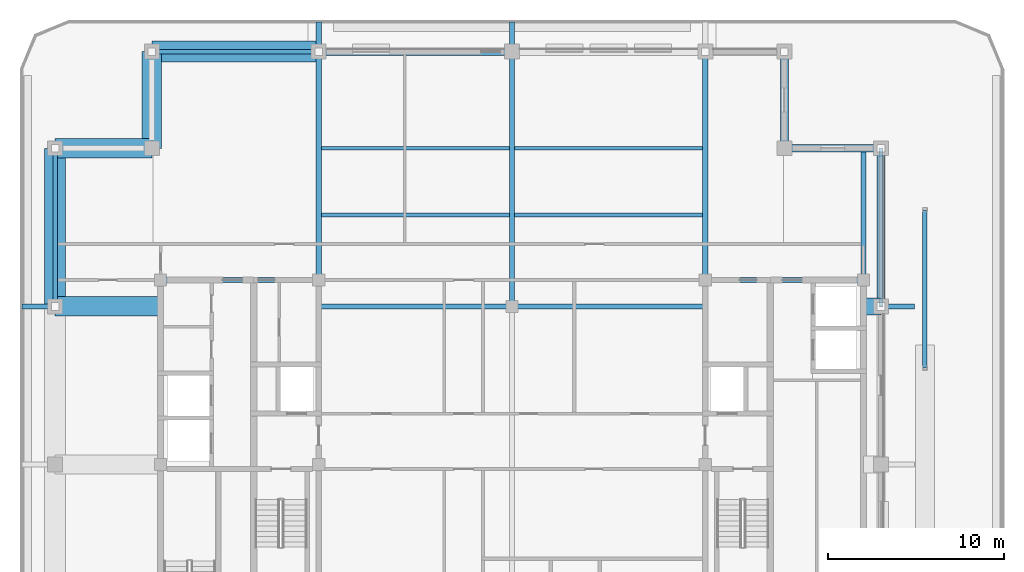
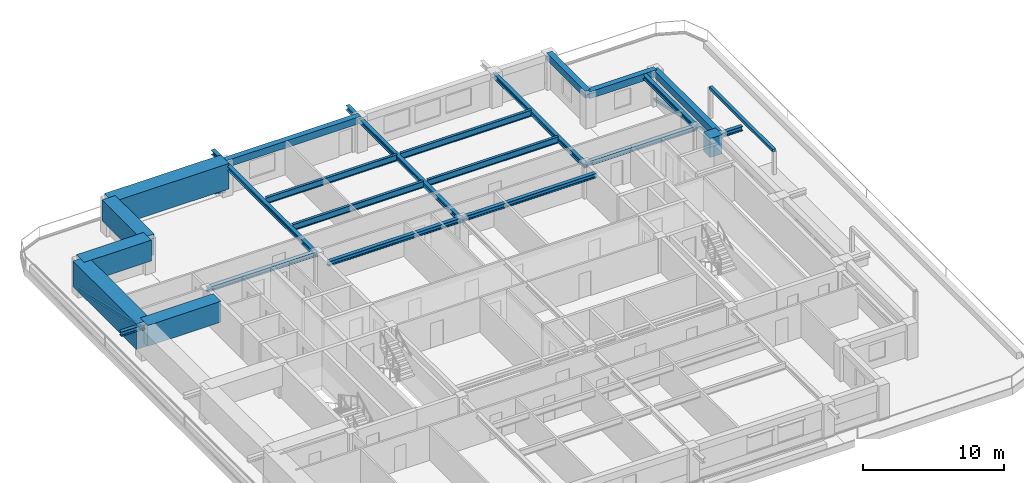
# One storey, part 3 of 14: 26 beams, 4 members.
"""IFC4 building model written with IfcOpenShell, lengths in metres."""

from ifc_helpers import new_model, si_unit, direction, frame, origin, origin_2d, place, context, subcontext, project, spatial, rectangle, hollow_rectangle, i_section, extrude, material, material_profile, profile_set, type_object, element, save


model = new_model("IFC4")

# Units and contexts
model_context = context("Model", 3, precision=1e-05, world=origin(), true_north=direction((0.0, 1.0)))
body_context = subcontext(model_context, "Body", "Model", "MODEL_VIEW")
ifc_project = project(units=[si_unit("LENGTHUNIT", "METRE"), si_unit("AREAUNIT", "SQUARE_METRE"), si_unit("VOLUMEUNIT", "CUBIC_METRE"), si_unit("PLANEANGLEUNIT", "RADIAN"), si_unit("MASSUNIT", "GRAM", prefix="KILO")], contexts=[model_context])

# Site, building, storey
site_placement = place(None, origin())
site = spatial("IfcSite", under=ifc_project, at=site_placement, CompositionType="ELEMENT")
building_placement = place(site_placement, origin())
building = spatial("IfcBuilding", under=site, at=building_placement, Name="Zulmaris Gate Convention Tower", CompositionType="ELEMENT")
storey_placement = place(building_placement, frame((0.0, 0.0, 254.429931640625)))
storey = spatial("IfcBuildingStorey", under=building, at=storey_placement, Name="L67", CompositionType="ELEMENT", Elevation=254.429931640625)

# Beams
ifc_material_1 = material(Name="Steel S355", Category="steel")
ifc_material_profile_1 = material_profile(ifc_material_1, i_section(OverallWidth=0.300048828125, OverallDepth=0.39990234375, WebThickness=0.013427734375, FlangeThickness=0.02392578125, FilletRadius=0.027099609375, at=origin_2d()), Name="HEB 400")
ifc_profile_set_1 = profile_set([ifc_material_profile_1], Name="Steel S355")
beam_type_1 = type_object("IfcBeamType", Name="BM-HEB400", PredefinedType="BEAM", material=ifc_profile_set_1)
for number, where, z_axis, x_axis, name in (
    (1, (-11.0, 23.5, 2.60302734375), (0.0, 1.0, 0.0), (-1.0, 0.0, 0.0), "L67 Beam TBRK-L67-N--11"),
    (2, (0.0, 23.5, 2.60302734375), (0.0, 1.0, 0.0), (-1.0, 0.0, 0.0), "L67 Beam TBRK-L67-N-+0"),
):
    element("IfcBeam", number, at=place(storey_placement, frame(where, z_axis=z_axis, x_axis=x_axis)), inside=storey, type_object=beam_type_1, Name=name, PredefinedType="BEAM", context=body_context, shape_type="SweptSolid", body=[
        extrude(i_section(OverallWidth=0.300048828125, OverallDepth=0.39990234375, WebThickness=0.013427734375, FlangeThickness=0.02392578125, FilletRadius=0.027099609375, at=origin_2d()), origin(), (0.0, 0.0, 1.0), 1.699951171875),
    ])
for number, where, z_axis, x_axis, name in (
    (3, (-27.89990234375, 9.0, 2.639892578125), (1.0, 0.0, 0.0), (0.0, 1.0, 0.0), "L67 Beam TBRK-L67-W-+9"),
    (4, (21.0, 9.0, 2.639892578125), (1.0, 0.0, 0.0), (0.0, 1.0, 0.0), "L67 Beam TBRK-L67-E-+9"),
):
    element("IfcBeam", number, at=place(storey_placement, frame(where, z_axis=z_axis, x_axis=x_axis)), inside=storey, type_object=beam_type_1, Name=name, PredefinedType="BEAM", context=body_context, shape_type="SweptSolid", body=[
        extrude(i_section(OverallWidth=0.300048828125, OverallDepth=0.39990234375, WebThickness=0.013427734375, FlangeThickness=0.02392578125, FilletRadius=0.027099609375, at=origin_2d()), origin(), (0.0, 0.0, 1.0), 1.89990234375),
    ])
for number, where, z_axis, x_axis, name in (
    (5, (-11.0, 9.0, 2.778076171875), (1.0, 0.0, 0.0), (0.0, 1.0, 0.0), "L67 Beam BM-L67-G03"),
    (6, (0.0, 9.0, 2.778076171875), (1.0, 0.0, 0.0), (0.0, 1.0, 0.0), "L67 Beam BM-L67-G04"),
):
    element("IfcBeam", number, at=place(storey_placement, frame(where, z_axis=z_axis, x_axis=x_axis)), inside=storey, type_object=beam_type_1, Name=name, PredefinedType="BEAM", context=body_context, shape_type="SweptSolid", body=[
        extrude(i_section(OverallWidth=0.300048828125, OverallDepth=0.39990234375, WebThickness=0.013427734375, FlangeThickness=0.02392578125, FilletRadius=0.027099609375, at=origin_2d()), origin(), (0.0, 0.0, 1.0), 11.0),
    ])
beam_1_placement = place(storey_placement, frame((0.0, 9.0, 2.60302734375), z_axis=(0.0, 1.0, 0.0), x_axis=(-1.0, 0.0, 0.0)))
element("IfcBeam", 7, at=beam_1_placement, inside=storey, type_object=beam_type_1, Name="L67 Beam BM-L67-G07", PredefinedType="BEAM", context=body_context, shape_type="SweptSolid", body=[
    extrude(i_section(OverallWidth=0.300048828125, OverallDepth=0.39990234375, WebThickness=0.013427734375, FlangeThickness=0.02392578125, FilletRadius=0.027099609375, at=origin_2d()), origin(), (0.0, 0.0, 1.0), 14.5),
])
for number, where, z_axis, x_axis, name in (
    (8, (-11.0, 10.5, 2.60302734375), (0.0, 1.0, 0.0), (-1.0, 0.0, 0.0), "L67 Beam BM-L67-G09"),
    (9, (11.0, 10.5, 2.60302734375), (0.0, 1.0, 0.0), (-1.0, 0.0, 0.0), "L67 Beam BM-L67-G11"),
):
    element("IfcBeam", number, at=place(storey_placement, frame(where, z_axis=z_axis, x_axis=x_axis)), inside=storey, type_object=beam_type_1, Name=name, PredefinedType="BEAM", context=body_context, shape_type="SweptSolid", body=[
        extrude(i_section(OverallWidth=0.300048828125, OverallDepth=0.39990234375, WebThickness=0.013427734375, FlangeThickness=0.02392578125, FilletRadius=0.027099609375, at=origin_2d()), origin(), (0.0, 0.0, 1.0), 13.0),
    ])
beam_2_placement = place(storey_placement, frame((20.0, 10.5, 2.778076171875), z_axis=(0.0, 1.0, 0.0), x_axis=(-1.0, 0.0, 0.0)))
element("IfcBeam", 10, at=beam_2_placement, inside=storey, type_object=beam_type_1, Name="L67 Beam BM-L67-G15", PredefinedType="BEAM", context=body_context, shape_type="SweptSolid", body=[
    extrude(i_section(OverallWidth=0.300048828125, OverallDepth=0.39990234375, WebThickness=0.013427734375, FlangeThickness=0.02392578125, FilletRadius=0.027099609375, at=origin_2d()), origin(), (0.0, 0.0, 1.0), 7.5),
])
for number, where, z_axis, x_axis, name in (
    (11, (-20.0, 10.5, 2.778076171875), (1.0, 0.0, 0.0), (0.0, 1.0, 0.0), "L67 Beam BM-L67-G23"),
    (12, (11.0, 10.5, 2.778076171875), (1.0, 0.0, 0.0), (0.0, 1.0, 0.0), "L67 Beam BM-L67-G25"),
):
    element("IfcBeam", number, at=place(storey_placement, frame(where, z_axis=z_axis, x_axis=x_axis)), inside=storey, type_object=beam_type_1, Name=name, PredefinedType="BEAM", context=body_context, shape_type="SweptSolid", body=[
        extrude(i_section(OverallWidth=0.300048828125, OverallDepth=0.39990234375, WebThickness=0.013427734375, FlangeThickness=0.02392578125, FilletRadius=0.027099609375, at=origin_2d()), origin(), (0.0, 0.0, 1.0), 9.0),
    ])
ifc_material_2 = material(Name="Precast concrete C50/60", Category="concrete")
ifc_material_profile_2 = material_profile(ifc_material_2, rectangle(XDim=0.449951171875, YDim=0.60009765625, at=origin_2d()), Name="RC SPANDREL 450x600")
ifc_profile_set_2 = profile_set([ifc_material_profile_2], Name="Precast concrete C50/60")
beam_type_2 = type_object("IfcBeamType", Name="BM-SP450x600", PredefinedType="SPANDREL", material=ifc_profile_set_2)
beam_3_placement = place(storey_placement, frame((21.0, 9.0, 2.679931640625), z_axis=(0.0, 1.0, 0.0), x_axis=(-1.0, 0.0, 0.0)))
element("IfcBeam", 13, at=beam_3_placement, inside=storey, type_object=beam_type_2, Name="L67 Spandrel SP-L67-10", PredefinedType="SPANDREL", context=body_context, shape_type="SweptSolid", body=[
    extrude(rectangle(XDim=0.449951171875, YDim=0.60009765625, at=origin_2d()), origin(), (0.0, 0.0, 1.0), 9.0),
])
for number, where, z_axis, x_axis, name in (
    (14, (21.0, 18.0, 2.679931640625), (-1.0, 0.0, 0.0), (0.0, -1.0, 0.0), "L67 Spandrel SP-L67-11"),
    (15, (15.5, 18.0, 2.679931640625), (0.0, 1.0, 0.0), (-1.0, 0.0, 0.0), "L67 Spandrel SP-L67-12"),
):
    element("IfcBeam", number, at=place(storey_placement, frame(where, z_axis=z_axis, x_axis=x_axis)), inside=storey, type_object=beam_type_2, Name=name, PredefinedType="SPANDREL", context=body_context, shape_type="SweptSolid", body=[
        extrude(rectangle(XDim=0.449951171875, YDim=0.60009765625, at=origin_2d()), origin(), (0.0, 0.0, 1.0), 5.5),
    ])
beam_4_placement = place(storey_placement, frame((0.0, 23.5, 2.679931640625), z_axis=(-1.0, 0.0, 0.0), x_axis=(0.0, -1.0, 0.0)))
element("IfcBeam", 16, at=beam_4_placement, inside=storey, type_object=beam_type_2, Name="L67 Spandrel SP-L67-15", PredefinedType="SPANDREL", context=body_context, shape_type="SweptSolid", body=[
    extrude(rectangle(XDim=0.449951171875, YDim=0.60009765625, at=origin_2d()), origin(), (0.0, 0.0, 1.0), 11.0),
])
ifc_material_3 = material(Name="Concrete C80/95", Category="concrete")
ifc_material_profile_3 = material_profile(ifc_material_3, rectangle(XDim=0.949951171875, YDim=1.64990234375, at=origin_2d()), Name="RC TRANSFER 950x1650")
ifc_profile_set_3 = profile_set([ifc_material_profile_3], Name="Concrete C80/95")
beam_type_3 = type_object("IfcBeamType", Name="BM-XFER1650", PredefinedType="BEAM", material=ifc_profile_set_3)
beam_5_placement = place(storey_placement, frame((20.0, 9.0, 2.155029296875), z_axis=(1.0, 0.0, 0.0), x_axis=(0.0, 1.0, 0.0)))
element("IfcBeam", 17, at=beam_5_placement, inside=storey, type_object=beam_type_3, Name="L67 Beam BM-L67-G21", PredefinedType="BEAM", context=body_context, shape_type="SweptSolid", body=[
    extrude(rectangle(XDim=0.949951171875, YDim=1.64990234375, at=origin_2d()), origin(), (0.0, 0.0, 1.0), 1.0),
])
ifc_material_profile_4 = material_profile(ifc_material_3, rectangle(XDim=1.10009765625, YDim=1.800048828125, at=origin_2d()), Name="RC TRANSFER 1100x1800")
ifc_profile_set_4 = profile_set([ifc_material_profile_4], Name="Concrete C80/95")
beam_type_4 = type_object("IfcBeamType", Name="BM-XFER1800", PredefinedType="BEAM", material=ifc_profile_set_4)
for number, where, z_axis, x_axis, name in (
    (18, (-20.5, 23.5, 2.080078125), (0.0, -1.0, 0.0), (1.0, 0.0, 0.0), "L67 Beam SP-L67-17"),
    (19, (-20.5, 18.0, 2.080078125), (-1.0, 0.0, 0.0), (0.0, -1.0, 0.0), "L67 Beam SP-L67-18"),
):
    element("IfcBeam", number, at=place(storey_placement, frame(where, z_axis=z_axis, x_axis=x_axis)), inside=storey, type_object=beam_type_4, Name=name, PredefinedType="BEAM", context=body_context, shape_type="SweptSolid", body=[
        extrude(rectangle(XDim=1.10009765625, YDim=1.800048828125, at=origin_2d()), origin(), (0.0, 0.0, 1.0), 5.5),
    ])
beam_6_placement = place(storey_placement, frame((-26.0, 9.0, 2.080078125), z_axis=(1.0, 0.0, 0.0), x_axis=(0.0, 1.0, 0.0)))
element("IfcBeam", 20, at=beam_6_placement, inside=storey, type_object=beam_type_4, Name="L67 Beam BM-L67-G18", PredefinedType="BEAM", context=body_context, shape_type="SweptSolid", body=[
    extrude(rectangle(XDim=1.10009765625, YDim=1.800048828125, at=origin_2d()), origin(), (0.0, 0.0, 1.0), 6.0),
])
ifc_material_profile_5 = material_profile(ifc_material_3, rectangle(XDim=1.199951171875, YDim=2.199951171875, at=origin_2d()), Name="RC TRANSFER 1200x2200")
ifc_profile_set_5 = profile_set([ifc_material_profile_5], Name="Concrete C80/95")
beam_type_5 = type_object("IfcBeamType", Name="BM-XFER2200", PredefinedType="BEAM", material=ifc_profile_set_5)
beam_7_placement = place(storey_placement, frame((-11.0, 23.5, 1.8798828125), z_axis=(-1.0, 0.0, 0.0), x_axis=(0.0, -1.0, 0.0)))
element("IfcBeam", 21, at=beam_7_placement, inside=storey, type_object=beam_type_5, Name="L67 Beam SP-L67-16", PredefinedType="BEAM", context=body_context, shape_type="SweptSolid", body=[
    extrude(rectangle(XDim=1.199951171875, YDim=2.199951171875, at=origin_2d()), origin(), (0.0, 0.0, 1.0), 9.5),
])
beam_8_placement = place(storey_placement, frame((-26.0, 18.0, 1.8798828125), z_axis=(0.0, -1.0, 0.0), x_axis=(1.0, 0.0, 0.0)))
element("IfcBeam", 22, at=beam_8_placement, inside=storey, type_object=beam_type_5, Name="L67 Beam SP-L67-19", PredefinedType="BEAM", context=body_context, shape_type="SweptSolid", body=[
    extrude(rectangle(XDim=1.199951171875, YDim=2.199951171875, at=origin_2d()), origin(), (0.0, 0.0, 1.0), 9.0),
])

# Members
ifc_material_profile_6 = material_profile(ifc_material_1, hollow_rectangle(XDim=0.25, YDim=0.25, WallThickness=0.012451171875, at=origin_2d()), Name="SHS 250x250x12.5")
ifc_profile_set_6 = profile_set([ifc_material_profile_6], Name="Steel S355")
member_type_1 = type_object("IfcMemberType", Name="BR-SHS250", PredefinedType="BRACE", material=ifc_profile_set_6)
for number, where, z_axis, x_axis, name in (
    (23, (-26.0, 18.0, 0.300048828125), (0.0, -0.974795611755, 0.223099787771), (1.0, 0.0, 0.0), "L67 Perimeter Tube Diagonal NW-W"),
    (24, (21.0, 18.0, 0.300048828125), (0.0, -0.974795611755, 0.223099787771), (1.0, 0.0, 0.0), "L67 Perimeter Tube Diagonal NE-E"),
):
    element("IfcMember", number, at=place(storey_placement, frame(where, z_axis=z_axis, x_axis=x_axis)), inside=storey, type_object=member_type_1, Name=name, PredefinedType="BRACE", context=body_context, shape_type="SweptSolid", body=[
        extrude(hollow_rectangle(XDim=0.25, YDim=0.25, WallThickness=0.012451171875, at=origin_2d()), origin(), (0.0, 0.0, 1.0), 9.232666015625),
    ])
member_1_placement = place(storey_placement, frame((-11.0, 23.5, 0.300048828125), z_axis=(-0.977291596632, 0.0, 0.211898879543), x_axis=(0.0, -1.0, 0.0)))
element("IfcMember", 25, at=member_1_placement, inside=storey, type_object=member_type_1, Name="L67 Perimeter Tube Diagonal NW-N", PredefinedType="BRACE", context=body_context, shape_type="SweptSolid", body=[
    extrude(hollow_rectangle(XDim=0.25, YDim=0.25, WallThickness=0.012451171875, at=origin_2d()), origin(), (0.0, 0.0, 1.0), 9.720703125),
])

# Beams
ifc_material_profile_7 = material_profile(ifc_material_1, i_section(OverallWidth=0.2099609375, OverallDepth=0.550048828125, WebThickness=0.010986328125, FlangeThickness=0.01708984375, FilletRadius=0.02392578125, at=origin_2d()), Name="IPE 550")
ifc_profile_set_7 = profile_set([ifc_material_profile_7], Name="Steel S355")
beam_type_6 = type_object("IfcBeamType", Name="JT-IPE550", PredefinedType="JOIST", material=ifc_profile_set_7)
for number, where, z_axis, x_axis, name in (
    (26, (-10.85009765625, 14.199951171875, 2.702880859375), (1.0, 0.0, 0.0), (0.0, 1.0, 0.0), "L67 Joist JT-L67-CW-+14.2"),
    (27, (0.14990234375, 14.199951171875, 2.702880859375), (1.0, 0.0, 0.0), (0.0, 1.0, 0.0), "L67 Joist JT-L67-CE-+14.2"),
    (28, (-10.85009765625, 18.0, 2.702880859375), (1.0, 0.0, 0.0), (0.0, 1.0, 0.0), "L67 Joist JT-L67-CW-+18.0"),
    (29, (0.14990234375, 18.0, 2.702880859375), (1.0, 0.0, 0.0), (0.0, 1.0, 0.0), "L67 Joist JT-L67-CE-+18.0"),
):
    element("IfcBeam", number, at=place(storey_placement, frame(where, z_axis=z_axis, x_axis=x_axis)), inside=storey, type_object=beam_type_6, Name=name, PredefinedType="JOIST", context=body_context, shape_type="SweptSolid", body=[
        extrude(i_section(OverallWidth=0.2099609375, OverallDepth=0.550048828125, WebThickness=0.010986328125, FlangeThickness=0.01708984375, FilletRadius=0.02392578125, at=origin_2d()), origin(), (0.0, 0.0, 1.0), 10.7001953125),
    ])

# Member
ifc_material_profile_8 = material_profile(ifc_material_1, hollow_rectangle(XDim=0.25, YDim=0.25, WallThickness=0.012451171875, at=origin_2d()), Name="SHS 250x250x12.5")
ifc_profile_set_8 = profile_set([ifc_material_profile_8], Name="Steel S355")
member_type_2 = type_object("IfcMemberType", Name="ST-SHS250", PredefinedType="STRUT", material=ifc_profile_set_8)
member_2_placement = place(storey_placement, frame((23.5, 5.5, 2.56005859375), z_axis=(0.0, 1.0, 0.0), x_axis=(-1.0, 0.0, 0.0)))
element("IfcMember", 30, at=member_2_placement, inside=storey, type_object=member_type_2, Name="L67 Exposed Terrace Planted Pergola Beam 2", PredefinedType="STRUT", context=body_context, shape_type="SweptSolid", body=[
    extrude(hollow_rectangle(XDim=0.25, YDim=0.25, WallThickness=0.012451171875, at=origin_2d()), origin(), (0.0, 0.0, 1.0), 9.0),
])

save(model, "model.ifc")
